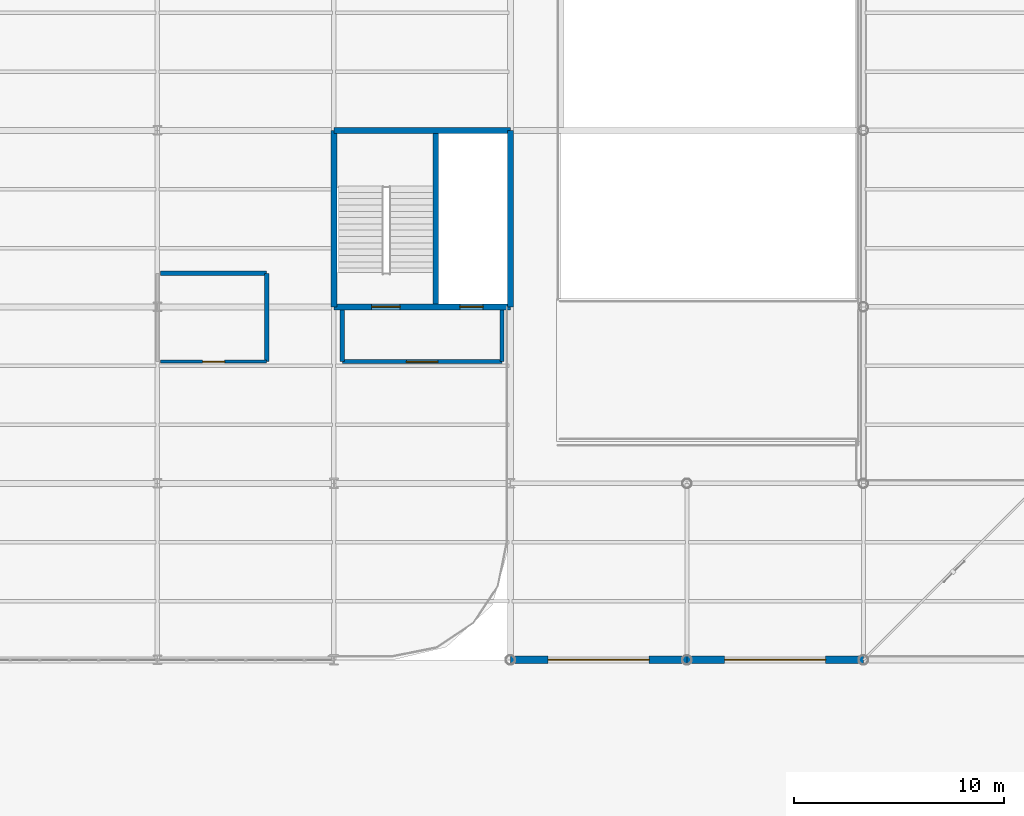
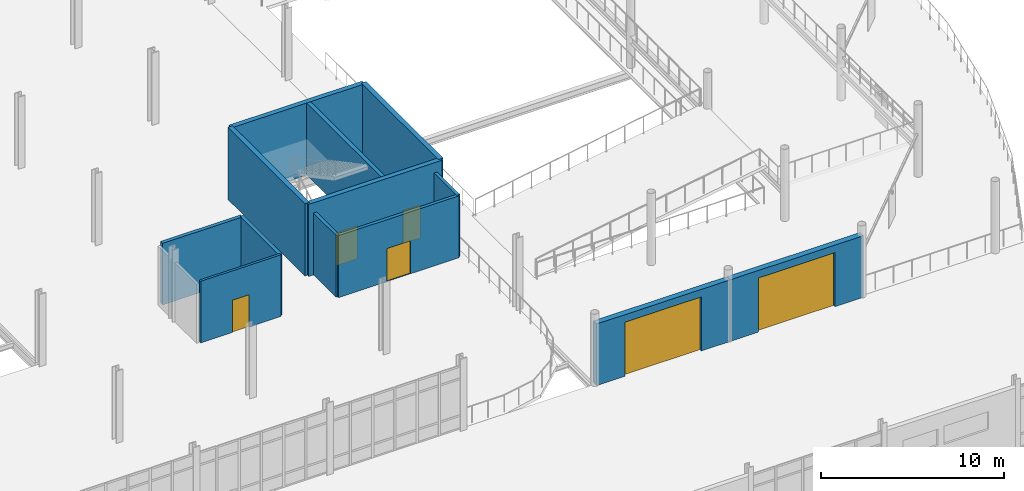
# One storey, part 130 of 145: 13 walls, 6 doors, 6 openings.
"""IFC4 building model written with IfcOpenShell, lengths in metres."""

import ifcopenshell
import ifcopenshell.guid

model = None  # the IFC model being written
_history = None  # IfcOwnerHistory: only IFC2X3 demands one
_inside = {}  # id of a spatial element -> (the spatial element, [elements in it])
_under = {}  # id of a project, library or spatial element -> (it, [spatial elements below it])
_declared = {}  # id of a project -> (the project, [libraries it declares])
_typed = {}  # id of a type object -> (the type object, [elements of that type])
_made_of = {}  # id of a material, layer set ... -> (it, [elements and type objects made of it])


def new_model(schema):
    """Start an empty IFC model of exactly this schema.

    Asked for "IFC4X3", IfcOpenShell would pick the latest addendum, in which some entities
    have other attributes; the version numbers below select the first issue.
    IFC2X3 requires an IfcOwnerHistory on every rooted entity: one is made here for all.
    """
    global model, _history
    if schema == "IFC4X3":
        model = ifcopenshell.file(schema_version=(4, 3, 0, 0))
    else:
        model = ifcopenshell.file(schema=schema)
    _inside.clear()
    _under.clear()
    _declared.clear()
    _typed.clear()
    _made_of.clear()
    _history = None
    if model.schema == "IFC2X3":
        org = make("IfcOrganization", Name="unknown")
        user = make(
            "IfcPersonAndOrganization",
            ThePerson=make("IfcPerson", FamilyName="unknown"),
            TheOrganization=org,
        )
        app = make(
            "IfcApplication",
            ApplicationDeveloper=org,
            Version="unknown",
            ApplicationFullName="unknown",
            ApplicationIdentifier="unknown",
        )
        _history = make(
            "IfcOwnerHistory",
            OwningUser=user,
            OwningApplication=app,
            ChangeAction="ADDED",
            CreationDate=0,
        )
    return model


def make(cls, **values):
    """One entity of the class cls with the attributes given. An attribute that is None is left unset."""
    return model.create_entity(
        cls, **{name: value for name, value in values.items() if value is not None}
    )


def rooted(cls, **values):
    """An entity with a GlobalId (a new one), such as an element, a storey or a relation."""
    return make(cls, GlobalId=ifcopenshell.guid.new(), OwnerHistory=_history, **values)


def si_unit(unit_type, name, prefix=None):
    """IfcSIUnit, for example si_unit("LENGTHUNIT", "METRE", prefix="MILLI")."""
    return make("IfcSIUnit", UnitType=unit_type, Prefix=prefix, Name=name)


def assignment(units):
    """IfcUnitAssignment: the units of a project."""
    return None if units is None else make("IfcUnitAssignment", Units=units)


def point(xyz):
    """IfcCartesianPoint."""
    return None if xyz is None else make("IfcCartesianPoint", Coordinates=xyz)


def direction(xyz):
    """IfcDirection."""
    return None if xyz is None else make("IfcDirection", DirectionRatios=xyz)


def frame(location, z_axis=None, x_axis=None):
    """IfcAxis2Placement3D, a coordinate frame: its origin and axes. An axis left out is left unset."""
    return make(
        "IfcAxis2Placement3D",
        Location=point(location),
        Axis=direction(z_axis),
        RefDirection=direction(x_axis),
    )


def frame_2d(location, x_axis=None):
    """IfcAxis2Placement2D, a coordinate frame in the plane: its origin and x axis."""
    return make(
        "IfcAxis2Placement2D", Location=point(location), RefDirection=direction(x_axis)
    )


def origin():
    """The frame at (0, 0, 0) with its axes left unset."""
    return frame((0.0, 0.0, 0.0))


def place(relative_to, where):
    """IfcLocalPlacement: puts the frame where relative to a parent placement (None: the world)."""
    return make(
        "IfcLocalPlacement", PlacementRelTo=relative_to, RelativePlacement=where
    )


def context(
    kind, dimensions, precision=None, world=None, true_north=None, identifier=None
):
    """IfcGeometricRepresentationContext, for example the 3D "Model" context."""
    return make(
        "IfcGeometricRepresentationContext",
        ContextIdentifier=identifier,
        ContextType=kind,
        CoordinateSpaceDimension=dimensions,
        Precision=precision,
        WorldCoordinateSystem=world,
        TrueNorth=true_north,
    )


def subcontext(parent, identifier, kind, view, scale=None):
    """IfcGeometricRepresentationSubContext, for example "Body" below "Model"."""
    return make(
        "IfcGeometricRepresentationSubContext",
        ContextIdentifier=identifier,
        ContextType=kind,
        ParentContext=parent,
        TargetScale=scale,
        TargetView=view,
    )


def project(units=None, contexts=None):
    """IfcProject with its units and contexts."""
    return rooted(
        "IfcProject",
        Name="project",
        RepresentationContexts=contexts,
        UnitsInContext=assignment(units),
    )


def spatial(cls, under=None, at=None, **own):
    """A site, building, storey or space (cls), placed at a placement, below another one or the project."""
    s = rooted(cls, ObjectPlacement=at, **own)
    if under is not None:
        _under.setdefault(under.id(), (under, []))[1].append(s)
    return s


def profile(cls, at=None, kind="AREA", **sizes):
    """A parametric profile (cls). Its sizes go by their IFC names, for example OverallWidth=200.0."""
    return make(cls, ProfileType=kind, Position=at, **sizes)


def rectangle(**sizes):
    """IfcRectangleProfileDef."""
    return profile("IfcRectangleProfileDef", **sizes)


def extrude(swept, where, along, depth):
    """IfcExtrudedAreaSolid: the profile swept, set in the frame where, extruded along a direction by depth."""
    return make(
        "IfcExtrudedAreaSolid",
        SweptArea=swept,
        Position=where,
        ExtrudedDirection=direction(along),
        Depth=depth,
    )


def shape(context_of_items, identifier, shape_type, items):
    """IfcShapeRepresentation: the items that make up one representation, for example the "Body"."""
    return make(
        "IfcShapeRepresentation",
        ContextOfItems=context_of_items,
        RepresentationIdentifier=identifier,
        RepresentationType=shape_type,
        Items=items,
    )


def material(Name=None, Category=None):
    """IfcMaterial."""
    return make("IfcMaterial", Name=Name, Category=Category)


def layer(
    of_material, thickness, ventilated=None, Name=None, Category=None, Priority=None
):
    """IfcMaterialLayer: one layer of a wall or slab, of a material (None: an air gap)."""
    return make(
        "IfcMaterialLayer",
        Material=of_material,
        LayerThickness=thickness,
        IsVentilated=ventilated,
        Name=Name,
        Category=Category,
        Priority=Priority,
    )


def layer_set(layers, Name=None):
    """IfcMaterialLayerSet."""
    return make("IfcMaterialLayerSet", MaterialLayers=layers, LayerSetName=Name)


def made_of(thing, what):
    """Note that an element or type object is made of a material, layer set ...; save() writes the relation."""
    if what is not None:
        _made_of.setdefault(what.id(), (what, []))[1].append(thing)
    return thing


def type_object(cls, material=None, **own):
    """A type object (cls), such as IfcWallType, which elements share."""
    return made_of(rooted(cls, **own), material)


def element(
    cls,
    number,
    at=None,
    inside=None,
    cuts=None,
    type_object=None,
    material=None,
    context=None,
    identifier="Body",
    shape_type=None,
    held_by="IfcProductDefinitionShape",
    body=None,
    shapes=None,
    **own,
):
    """One element of the class cls, such as IfcWall. Its Tag is "e" and its number.

    at: its placement. inside: the storey or other place that contains it. cuts: it is an
    opening in that element (IfcRelVoidsElement). A single representation is given by context,
    identifier, shape_type and body (its items); several are given by shapes. held_by: the class
    of the entity that holds the representations. save() writes the other relations.
    """
    e = rooted(cls, Tag="e%d" % number, ObjectPlacement=at, **own)
    if body is not None:
        shapes = [shape(context, identifier, shape_type, body)]
    if shapes is not None:
        e.Representation = make(held_by, Representations=shapes)
    if inside is not None:
        _inside.setdefault(inside.id(), (inside, []))[1].append(e)
    if cuts is not None:
        rooted(
            "IfcRelVoidsElement", RelatingBuildingElement=cuts, RelatedOpeningElement=e
        )
    if type_object is not None:
        _typed.setdefault(type_object.id(), (type_object, []))[1].append(e)
    return made_of(e, material)


def fill(opening, filler):
    """IfcRelFillsElement: the door or window that sits in an opening."""
    return rooted(
        "IfcRelFillsElement",
        RelatingOpeningElement=opening,
        RelatedBuildingElement=filler,
    )


def aggregate(whole, parts):
    """IfcRelAggregates: a whole, such as a stair, and the parts it consists of."""
    return rooted("IfcRelAggregates", RelatingObject=whole, RelatedObjects=parts)


def save(model, path):
    """Write the relations noted so far, then the file.

    IfcRelAggregates (storeys below a building ...), IfcRelContainedInSpatialStructure (elements
    in a storey), IfcRelDefinesByType, IfcRelAssociatesMaterial and IfcRelDeclares: one each for
    every whole, place, type object, material and project.
    """
    for whole, parts in _under.values():
        aggregate(whole, parts)
    for where, things in _inside.values():
        rooted(
            "IfcRelContainedInSpatialStructure",
            RelatedElements=things,
            RelatingStructure=where,
        )
    for kind, things in _typed.values():
        rooted("IfcRelDefinesByType", RelatedObjects=things, RelatingType=kind)
    for what, things in _made_of.values():
        rooted("IfcRelAssociatesMaterial", RelatedObjects=things, RelatingMaterial=what)
    for by, libraries in _declared.values():
        rooted("IfcRelDeclares", RelatingContext=by, RelatedDefinitions=libraries)
    model.write(path)


model = new_model("IFC4")

# Units and contexts
model_context = context("Model", 3, precision=1e-05, world=origin(), true_north=direction((0.0, 1.0)))
body_context = subcontext(model_context, "Body", "Model", "MODEL_VIEW")
ifc_project = project(units=[si_unit("LENGTHUNIT", "METRE"), si_unit("AREAUNIT", "SQUARE_METRE"), si_unit("VOLUMEUNIT", "CUBIC_METRE"), si_unit("PLANEANGLEUNIT", "RADIAN"), si_unit("MASSUNIT", "GRAM", prefix="KILO")], contexts=[model_context])

# Site, building, storey
site_placement = place(None, origin())
site = spatial("IfcSite", under=ifc_project, at=site_placement, CompositionType="ELEMENT")
building_placement = place(site_placement, origin())
building = spatial("IfcBuilding", under=site, at=building_placement, Name="Qalvenar Corner Mobility Hub", CompositionType="ELEMENT")
storey_placement = place(building_placement, origin())
storey = spatial("IfcBuildingStorey", under=building, at=storey_placement, Name="L00", CompositionType="ELEMENT", Elevation=0.0)

# Wall
ifc_material_1 = material(Name="Concrete C40/50", Category="concrete")
ifc_layer_1 = layer(ifc_material_1, 0.25)
ifc_layer_set_1 = layer_set([ifc_layer_1], Name="Concrete C40/50")
wall_type_1 = type_object("IfcWallType", Name="WL-CORE250", PredefinedType="SHEAR", material=ifc_layer_set_1)
wall_1_placement = place(storey_placement, frame((139.25, 84.14990234375, 0.0), z_axis=(0.0, 0.0, 1.0), x_axis=(0.0, 1.0, 0.0)))
element("IfcWall", 1, at=wall_1_placement, inside=storey, type_object=wall_type_1, Name="Core Divider Wall C4-L00", PredefinedType="SHEAR", context=body_context, shape_type="SweptSolid", body=[
    extrude(rectangle(XDim=8.10009765625, YDim=0.25, at=frame_2d((4.050048828125, 0.0))), origin(), (0.0, 0.0, 1.0), 4.800048828125),
])

# Wall, openings, doors
ifc_layer_2 = layer(ifc_material_1, 0.300048828125)
ifc_layer_set_2 = layer_set([ifc_layer_2], Name="Concrete C40/50")
wall_type_2 = type_object("IfcWallType", Name="WL-CORE300", PredefinedType="SHEAR", material=ifc_layer_set_2)
wall_2_placement = place(storey_placement, frame((134.39990234375, 84.0, 0.0), z_axis=(0.0, 0.0, 1.0), x_axis=(1.0, 0.0, 0.0)))
wall_2 = element("IfcWall", 2, at=wall_2_placement, inside=storey, type_object=wall_type_2, Name="Core Shear Wall C4-L00-S", PredefinedType="SHEAR", context=body_context, shape_type="SweptSolid", body=[
    extrude(rectangle(XDim=8.400146484375, YDim=0.300048828125, at=frame_2d((4.2001953125, 0.0))), origin(), (0.0, 0.0, 1.0), 4.800048828125),
])
opening_1_placement = place(wall_2_placement, frame((1.800048828125, 0.0, 0.0)))
opening_1 = element("IfcOpeningElement", 3, at=opening_1_placement, cuts=wall_2, Name="Opening DR-078", PredefinedType="OPENING", context=body_context, shape_type="SweptSolid", body=[
    extrude(rectangle(XDim=1.35009765625, YDim=2.199951171875, at=frame_2d((0.675048828125, 1.10009765625))), frame((0.0, 0.16015625, 0.0), z_axis=(0.0, -1.0, 0.0), x_axis=(1.0, 0.0, 0.0)), (0.0, 0.0, 1.0), 0.320068359375),
])
opening_2_placement = place(wall_2_placement, frame((6.0, 0.0, 0.0)))
opening_2 = element("IfcOpeningElement", 4, at=opening_2_placement, cuts=wall_2, Name="Opening DR-079", PredefinedType="OPENING", context=body_context, shape_type="SweptSolid", body=[
    extrude(rectangle(XDim=1.10009765625, YDim=2.199951171875, at=frame_2d((0.550048828125, 1.10009765625))), frame((0.0, 0.16015625, 0.0), z_axis=(0.0, -1.0, 0.0), x_axis=(1.0, 0.0, 0.0)), (0.0, 0.0, 1.0), 0.320068359375),
])
ifc_material_2 = material(Name="Stainless Steel Lift Landing Door", Category="steel")
door_type_1 = type_object("IfcDoorType", Name="DR-LIFT-110", OperationType="SLIDING_TO_LEFT", PredefinedType="DOOR", material=ifc_material_2)
door_1_placement = place(opening_2_placement, origin())
door_1 = element("IfcDoor", 5, at=door_1_placement, inside=storey, type_object=door_type_1, Name="DR-079 Lift Landing Door LP4-L00", OperationType="SLIDING_TO_LEFT", OverallHeight=2.199951171875, OverallWidth=1.10009765625, PredefinedType="DOOR", context=body_context, shape_type="SweptSolid", body=[
    extrude(rectangle(XDim=1.10009765625, YDim=2.199951171875, at=frame_2d((0.550048828125, 1.10009765625))), frame((0.0, 0.02490234375, 0.0), z_axis=(0.0, -1.0, 0.0), x_axis=(1.0, 0.0, 0.0)), (0.0, 0.0, 1.0), 0.050048828125),
])
fill(opening_2, door_1)
ifc_material_3 = material(Name="Fire-Rated Steel Stair Door FD90", Category="steel")
door_type_2 = type_object("IfcDoorType", Name="DR-STAIR-135", OperationType="NOTDEFINED", PredefinedType="DOOR", material=ifc_material_3)
door_2_placement = place(opening_1_placement, origin())
door_2 = element("IfcDoor", 6, at=door_2_placement, inside=storey, type_object=door_type_2, Name="DR-078 Stair Fire Door ST4-L00", OperationType="SINGLE_SWING_RIGHT", OverallHeight=2.199951171875, OverallWidth=1.35009765625, PredefinedType="DOOR", context=body_context, shape_type="SweptSolid", body=[
    extrude(rectangle(XDim=1.35009765625, YDim=2.199951171875, at=frame_2d((0.675048828125, 1.10009765625))), frame((0.0, 0.02490234375, 0.0), z_axis=(0.0, -1.0, 0.0), x_axis=(1.0, 0.0, 0.0)), (0.0, 0.0, 1.0), 0.050048828125),
])
fill(opening_1, door_2)

# Walls
wall_3_placement = place(storey_placement, frame((142.800048828125, 84.0, 0.0), z_axis=(0.0, 0.0, 1.0), x_axis=(0.0, 1.0, 0.0)))
element("IfcWall", 7, at=wall_3_placement, inside=storey, type_object=wall_type_2, Name="Core Shear Wall C4-L00-E", PredefinedType="SHEAR", context=body_context, shape_type="SweptSolid", body=[
    extrude(rectangle(XDim=8.39990234375, YDim=0.300048828125, at=frame_2d((4.199951171875, 0.0))), origin(), (0.0, 0.0, 1.0), 4.800048828125),
])
wall_4_placement = place(storey_placement, frame((142.800048828125, 92.39990234375, 0.0), z_axis=(0.0, 0.0, 1.0), x_axis=(-1.0, 0.0, 0.0)))
element("IfcWall", 8, at=wall_4_placement, inside=storey, type_object=wall_type_2, Name="Core Shear Wall C4-L00-N", PredefinedType="SHEAR", context=body_context, shape_type="SweptSolid", body=[
    extrude(rectangle(XDim=8.400146484375, YDim=0.300048828125, at=frame_2d((4.2001953125, 0.0))), origin(), (0.0, 0.0, 1.0), 4.800048828125),
])
wall_5_placement = place(storey_placement, frame((134.39990234375, 92.39990234375, 0.0), z_axis=(0.0, 0.0, 1.0), x_axis=(0.0, -1.0, 0.0)))
element("IfcWall", 9, at=wall_5_placement, inside=storey, type_object=wall_type_2, Name="Core Shear Wall C4-L00-W", PredefinedType="SHEAR", context=body_context, shape_type="SweptSolid", body=[
    extrude(rectangle(XDim=8.39990234375, YDim=0.300048828125, at=frame_2d((4.199951171875, 0.0))), origin(), (0.0, 0.0, 1.0), 4.800048828125),
])

# Wall, opening, door
ifc_material_4 = material(Name="Red Sandstone Ashlar Masonry", Category="masonry")
ifc_layer_3 = layer(ifc_material_4, 0.360107421875)
ifc_layer_set_3 = layer_set([ifc_layer_3], Name="Red Sandstone Ashlar Masonry")
wall_type_3 = type_object("IfcWallType", Name="WL-EXT-SAND360", PredefinedType="STANDARD", material=ifc_layer_set_3)
wall_6_placement = place(storey_placement, frame((142.800048828125, 67.199951171875, 0.0), z_axis=(0.0, 0.0, 1.0), x_axis=(1.0, 0.0, 0.0)))
wall_6 = element("IfcWall", 10, at=wall_6_placement, inside=storey, type_object=wall_type_3, Name="Exterior Facade Wall EW-V2-L00-S0", PredefinedType="STANDARD", context=body_context, shape_type="SweptSolid", body=[
    extrude(rectangle(XDim=8.39990234375, YDim=0.360107421875, at=frame_2d((4.199951171875, 0.0))), origin(), (0.0, 0.0, 1.0), 4.10009765625),
])
opening_3_placement = place(wall_6_placement, frame((1.800048828125, 0.0, 0.0)))
opening_3 = element("IfcOpeningElement", 11, at=opening_3_placement, cuts=wall_6, Name="Opening DR-065", PredefinedType="OPENING", context=body_context, shape_type="SweptSolid", body=[
    extrude(rectangle(XDim=4.800048828125, YDim=3.60009765625, at=frame_2d((2.39990234375, 1.800048828125))), frame((0.0, 0.18994140625, 0.0), z_axis=(0.0, -1.0, 0.0), x_axis=(1.0, 0.0, 0.0)), (0.0, 0.0, 1.0), 0.380126953125),
])
ifc_material_5 = material(Name="Perforated Galvanised Steel Vehicle Ramp Gate", Category="steel")
door_type_3 = type_object("IfcDoorType", Name="GT-RMP-480", OperationType="ROLLINGUP", PredefinedType="GATE", material=ifc_material_5)
door_3_placement = place(opening_3_placement, origin())
door_3 = element("IfcDoor", 12, at=door_3_placement, inside=storey, type_object=door_type_3, Name="DR-065 Vehicle Ramp Entry Gate VG1-1", OperationType="ROLLINGUP", OverallHeight=3.60009765625, OverallWidth=4.800048828125, PredefinedType="GATE", context=body_context, shape_type="SweptSolid", body=[
    extrude(rectangle(XDim=4.800048828125, YDim=3.60009765625, at=frame_2d((2.39990234375, 1.800048828125))), frame((0.0, 0.02490234375, 0.0), z_axis=(0.0, -1.0, 0.0), x_axis=(1.0, 0.0, 0.0)), (0.0, 0.0, 1.0), 0.050048828125),
])
fill(opening_3, door_3)

wall_7_placement = place(storey_placement, frame((151.199951171875, 67.199951171875, 0.0), z_axis=(0.0, 0.0, 1.0), x_axis=(1.0, 0.0, 0.0)))
wall_7 = element("IfcWall", 13, at=wall_7_placement, inside=storey, type_object=wall_type_3, Name="Exterior Facade Wall EW-V2-L00-S1", PredefinedType="STANDARD", context=body_context, shape_type="SweptSolid", body=[
    extrude(rectangle(XDim=8.400146484375, YDim=0.360107421875, at=frame_2d((4.2001953125, 0.0))), origin(), (0.0, 0.0, 1.0), 4.10009765625),
])
opening_4_placement = place(wall_7_placement, frame((1.800048828125, 0.0, 0.0)))
opening_4 = element("IfcOpeningElement", 14, at=opening_4_placement, cuts=wall_7, Name="Opening DR-066", PredefinedType="OPENING", context=body_context, shape_type="SweptSolid", body=[
    extrude(rectangle(XDim=4.800048828125, YDim=3.60009765625, at=frame_2d((2.39990234375, 1.800048828125))), frame((0.0, 0.18994140625, 0.0), z_axis=(0.0, -1.0, 0.0), x_axis=(1.0, 0.0, 0.0)), (0.0, 0.0, 1.0), 0.380126953125),
])
door_4_placement = place(opening_4_placement, origin())
door_4 = element("IfcDoor", 15, at=door_4_placement, inside=storey, type_object=door_type_3, Name="DR-066 Vehicle Ramp Entry Gate VG1-2", OperationType="ROLLINGUP", OverallHeight=3.60009765625, OverallWidth=4.800048828125, PredefinedType="GATE", context=body_context, shape_type="SweptSolid", body=[
    extrude(rectangle(XDim=4.800048828125, YDim=3.60009765625, at=frame_2d((2.39990234375, 1.800048828125))), frame((0.0, 0.02490234375, 0.0), z_axis=(0.0, -1.0, 0.0), x_axis=(1.0, 0.0, 0.0)), (0.0, 0.0, 1.0), 0.050048828125),
])
fill(opening_4, door_4)

# Walls
ifc_material_6 = material(Name="Concrete Blockwork Masonry", Category="masonry")
ifc_layer_4 = layer(ifc_material_6, 0.219970703125)
ifc_layer_set_4 = layer_set([ifc_layer_4], Name="Concrete Blockwork Masonry")
wall_type_4 = type_object("IfcWallType", Name="WL-FIRE220", PredefinedType="PARTITIONING", material=ifc_layer_set_4)
wall_8_placement = place(storey_placement, frame((126.14990234375, 85.60009765625, 0.0), z_axis=(0.0, 0.0, 1.0), x_axis=(1.0, 0.0, 0.0)))
element("IfcWall", 16, at=wall_8_placement, inside=storey, type_object=wall_type_4, Name="Interior Partition PRT-L00-032", PredefinedType="PARTITIONING", context=body_context, shape_type="SweptSolid", body=[
    extrude(rectangle(XDim=5.050048828125, YDim=0.219970703125, at=frame_2d((2.52490234375, 0.0))), origin(), (0.0, 0.0, 1.0), 4.10009765625),
])
wall_9_placement = place(storey_placement, frame((131.199951171875, 81.39990234375, 0.0), z_axis=(0.0, 0.0, 1.0), x_axis=(0.0, 1.0, 0.0)))
element("IfcWall", 17, at=wall_9_placement, inside=storey, type_object=wall_type_4, Name="Interior Partition PRT-L00-061", PredefinedType="PARTITIONING", context=body_context, shape_type="SweptSolid", body=[
    extrude(rectangle(XDim=4.2001953125, YDim=0.219970703125, at=frame_2d((2.10009765625, 0.0))), origin(), (0.0, 0.0, 1.0), 4.10009765625),
])
ifc_material_7 = material(Name="Concrete Blockwork Masonry", Category="masonry")
ifc_layer_5 = layer(ifc_material_7, 0.199951171875)
ifc_layer_set_5 = layer_set([ifc_layer_5], Name="Concrete Blockwork Masonry")
wall_type_5 = type_object("IfcWallType", Name="WL-LOBBY200", PredefinedType="PARTITIONING", material=ifc_layer_set_5)
for number, where, z_axis, x_axis, name in (
    (18, (134.800048828125, 81.39990234375, 0.0), (0.0, 0.0, 1.0), (0.0, 1.0, 0.0), "Interior Partition WL-LOB-C4-L00-W"),
    (19, (142.39990234375, 81.39990234375, 0.0), (0.0, 0.0, 1.0), (0.0, 1.0, 0.0), "Interior Partition WL-LOB-C4-L00-E"),
):
    element("IfcWall", number, at=place(storey_placement, frame(where, z_axis=z_axis, x_axis=x_axis)), inside=storey, type_object=wall_type_5, Name=name, PredefinedType="PARTITIONING", context=body_context, shape_type="SweptSolid", body=[
        extrude(rectangle(XDim=2.4501953125, YDim=0.199951171875, at=frame_2d((1.22509765625, 0.0))), origin(), (0.0, 0.0, 1.0), 4.1201171875),
    ])

# Wall, opening, door
wall_10_placement = place(storey_placement, frame((134.800048828125, 81.39990234375, 0.0), z_axis=(0.0, 0.0, 1.0), x_axis=(1.0, 0.0, 0.0)))
wall_10 = element("IfcWall", 20, at=wall_10_placement, inside=storey, type_object=wall_type_5, Name="Interior Partition WL-LOB-C4-L00-S", PredefinedType="PARTITIONING", context=body_context, shape_type="SweptSolid", body=[
    extrude(rectangle(XDim=7.599853515625, YDim=0.199951171875, at=frame_2d((3.7998046875, 0.0))), origin(), (0.0, 0.0, 1.0), 4.1201171875),
])
opening_5_placement = place(wall_10_placement, frame((3.050048828125, 0.0, 0.0)))
opening_5 = element("IfcOpeningElement", 21, at=opening_5_placement, cuts=wall_10, Name="Opening DR-080", PredefinedType="OPENING", context=body_context, shape_type="SweptSolid", body=[
    extrude(rectangle(XDim=1.5, YDim=2.199951171875, at=frame_2d((0.75, 1.10009765625))), frame((0.0, 0.10986328125, 0.0), z_axis=(0.0, -1.0, 0.0), x_axis=(1.0, 0.0, 0.0)), (0.0, 0.0, 1.0), 0.219970703125),
])
ifc_material_8 = material(Name="Firefighting Lobby Smoke-Control Door FD60", Category="steel")
door_type_4 = type_object("IfcDoorType", Name="DR-FFLOB-150", OperationType="DOUBLE_DOOR_SINGLE_SWING", PredefinedType="DOOR", material=ifc_material_8)
door_5_placement = place(opening_5_placement, origin())
door_5 = element("IfcDoor", 22, at=door_5_placement, inside=storey, type_object=door_type_4, Name="DR-080 Lift Lobby Smoke Door C4-L00", OperationType="DOUBLE_DOOR_SINGLE_SWING", OverallHeight=2.199951171875, OverallWidth=1.5, PredefinedType="DOOR", context=body_context, shape_type="SweptSolid", body=[
    extrude(rectangle(XDim=1.5, YDim=2.199951171875, at=frame_2d((0.75, 1.10009765625))), frame((0.0, 0.02490234375, 0.0), z_axis=(0.0, -1.0, 0.0), x_axis=(1.0, 0.0, 0.0)), (0.0, 0.0, 1.0), 0.050048828125),
])
fill(opening_5, door_5)

ifc_material_9 = material(Name="Ceramic-Tiled Moisture-Resistant Partition", Category="masonry")
ifc_layer_6 = layer(ifc_material_9, 0.14990234375)
ifc_layer_set_6 = layer_set([ifc_layer_6], Name="Ceramic-Tiled Moisture-Resistant Partition")
wall_type_6 = type_object("IfcWallType", Name="WL-WET150", PredefinedType="PARTITIONING", material=ifc_layer_set_6)
wall_11_placement = place(storey_placement, frame((126.14990234375, 81.39990234375, 0.0), z_axis=(0.0, 0.0, 1.0), x_axis=(1.0, 0.0, 0.0)))
wall_11 = element("IfcWall", 23, at=wall_11_placement, inside=storey, type_object=wall_type_6, Name="Interior Partition PRT-L00-029", PredefinedType="PARTITIONING", context=body_context, shape_type="SweptSolid", body=[
    extrude(rectangle(XDim=5.050048828125, YDim=0.14990234375, at=frame_2d((2.52490234375, 0.0))), origin(), (0.0, 0.0, 1.0), 4.10009765625),
])
opening_6_placement = place(wall_11_placement, frame((2.0, 0.0, 0.0)))
opening_6 = element("IfcOpeningElement", 24, at=opening_6_placement, cuts=wall_11, Name="Opening DR-102", PredefinedType="OPENING", context=body_context, shape_type="SweptSolid", body=[
    extrude(rectangle(XDim=1.050048828125, YDim=2.14990234375, at=frame_2d((0.52490234375, 1.074951171875))), frame((0.0, 0.0849609375, 0.0), z_axis=(0.0, -1.0, 0.0), x_axis=(1.0, 0.0, 0.0)), (0.0, 0.0, 1.0), 0.169921875),
])
ifc_material_10 = material(Name="Accessible Wheelchair WC Door", Category="wood")
door_type_5 = type_object("IfcDoorType", Name="DR-INT-AWC105", OperationType="NOTDEFINED", PredefinedType="DOOR", material=ifc_material_10)
door_6_placement = place(opening_6_placement, origin())
door_6 = element("IfcDoor", 25, at=door_6_placement, inside=storey, type_object=door_type_5, Name="DR-102 Mobility Hall Accessible WC Door", OperationType="SINGLE_SWING_RIGHT", OverallHeight=2.14990234375, OverallWidth=1.050048828125, PredefinedType="DOOR", context=body_context, shape_type="SweptSolid", body=[
    extrude(rectangle(XDim=1.050048828125, YDim=2.14990234375, at=frame_2d((0.52490234375, 1.074951171875))), frame((0.0, 0.02490234375, 0.0), z_axis=(0.0, -1.0, 0.0), x_axis=(1.0, 0.0, 0.0)), (0.0, 0.0, 1.0), 0.050048828125),
])
fill(opening_6, door_6)

save(model, "model.ifc")
